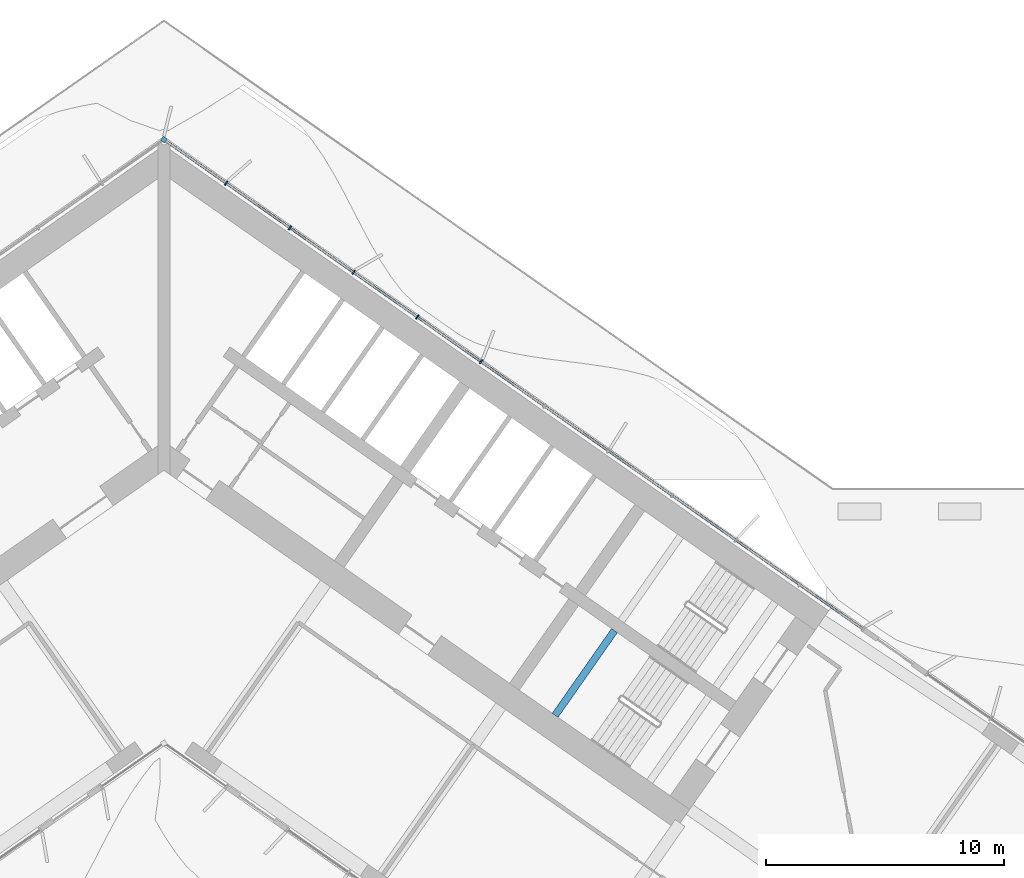
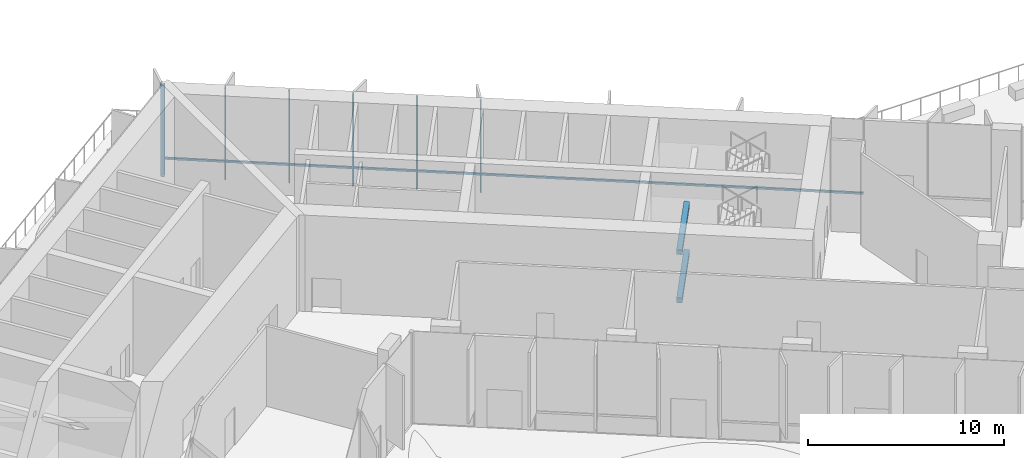
# One storey, part 11 of 27: 7 members, 2 beams, 1 element without a shape of its own.
"""IFC4 building model written with IfcOpenShell, lengths in metres."""

from ifc_helpers import new_model, si_unit, direction, frame, origin, origin_2d, place, context, subcontext, project, spatial, rectangle, extrude, material, material_profile, profile_set, type_object, element, aggregate, save


model = new_model("IFC4")

# Units and contexts
model_context = context("Model", 3, precision=1e-05, world=origin(), true_north=direction((0.0, 1.0)))
body_context = subcontext(model_context, "Body", "Model", "MODEL_VIEW")
ifc_project = project(units=[si_unit("LENGTHUNIT", "METRE"), si_unit("AREAUNIT", "SQUARE_METRE"), si_unit("VOLUMEUNIT", "CUBIC_METRE"), si_unit("PLANEANGLEUNIT", "RADIAN"), si_unit("MASSUNIT", "GRAM", prefix="KILO")], contexts=[model_context])

# Site, building, storey
site_placement = place(None, origin())
site = spatial("IfcSite", under=ifc_project, at=site_placement, CompositionType="ELEMENT")
building_placement = place(site_placement, origin())
building = spatial("IfcBuilding", under=site, at=building_placement, Name="Tel Ilan Convention Tower", CompositionType="ELEMENT")
storey_placement = place(building_placement, frame((0.0, 0.0, 48.5)))
storey = spatial("IfcBuildingStorey", under=building, at=storey_placement, Name="L07", CompositionType="ELEMENT", Elevation=48.5)

# Curtain wall, members
ifc_material_1 = material(Name="Aluminium, bronze anodised", Category="aluminium")
curtain_wall_type = type_object("IfcCurtainWallType", Name="CW2 STICK CURTAIN WALL, SPANDREL PANELS", PredefinedType="NOTDEFINED", material=ifc_material_1)
curtain_wall_placement = place(storey_placement, origin())
curtain_wall = element("IfcCurtainWall", 1, at=curtain_wall_placement, inside=storey, type_object=curtain_wall_type, Name="Curtain wall CW2-10.24", PredefinedType="NOTDEFINED")
ifc_material_2 = material(Name="Aluminium, bronze anodised", Category="aluminium")
ifc_material_profile_1 = material_profile(ifc_material_2, rectangle(XDim=0.199951171875, YDim=0.199951171875, at=origin_2d()), Name="CW CORNER MULLION 200x200")
ifc_profile_set_1 = profile_set([ifc_material_profile_1], Name="Aluminium, bronze anodised")
member_type_1 = type_object("IfcMemberType", Name="CW CORNER MULLION 200x200", PredefinedType="MULLION", material=ifc_profile_set_1)
member_1_placement = place(storey_placement, frame((0.0, 12.696044921875, 0.0), z_axis=(0.0, 0.0, 1.0), x_axis=(-0.819152044289, 0.573576436351, 0.0)))
member_1 = element("IfcMember", 2, at=member_1_placement, type_object=member_type_1, Name="Corner mullion", PredefinedType="MULLION", context=body_context, shape_type="SweptSolid", body=[
    extrude(rectangle(XDim=0.199951171875, YDim=0.199951171875, at=origin_2d()), origin(), (0.0, 0.0, 1.0), 5.719970703125),
])
ifc_material_3 = material(Name="Aluminium, bronze anodised", Category="aluminium")
ifc_material_profile_2 = material_profile(ifc_material_3, rectangle(XDim=0.06005859375, YDim=0.199951171875, at=origin_2d()), Name="CW MULLION 60x200")
ifc_profile_set_2 = profile_set([ifc_material_profile_2], Name="Aluminium, bronze anodised")
member_type_2 = type_object("IfcMemberType", Name="CW MULLION 60x200", PredefinedType="MULLION", material=ifc_profile_set_2)
member_2_placement = place(storey_placement, frame((13.343994140625, 3.3525390625, 0.0), z_axis=(0.0, 0.0, 1.0), x_axis=(-0.819152044289, 0.573576436351, 0.0)))
member_2 = element("IfcMember", 3, at=member_2_placement, type_object=member_type_2, Name="Mullion", PredefinedType="MULLION", context=body_context, shape_type="SweptSolid", body=[
    extrude(rectangle(XDim=0.06005859375, YDim=0.199951171875, at=origin_2d()), origin(), (0.0, 0.0, 1.0), 5.719970703125),
])
member_3_placement = place(storey_placement, frame((10.663818359375, 5.229248046875, 0.0), z_axis=(0.0, 0.0, 1.0), x_axis=(-0.819152044289, 0.573576436351, 0.0)))
member_3 = element("IfcMember", 4, at=member_3_placement, type_object=member_type_2, Name="Mullion", PredefinedType="MULLION", context=body_context, shape_type="SweptSolid", body=[
    extrude(rectangle(XDim=0.06005859375, YDim=0.199951171875, at=origin_2d()), origin(), (0.0, 0.0, 1.0), 5.719970703125),
])
member_4_placement = place(storey_placement, frame((7.9833984375, 7.10595703125, 0.0), z_axis=(0.0, 0.0, 1.0), x_axis=(-0.819152044289, 0.573576436351, 0.0)))
member_4 = element("IfcMember", 5, at=member_4_placement, type_object=member_type_2, Name="Mullion", PredefinedType="MULLION", context=body_context, shape_type="SweptSolid", body=[
    extrude(rectangle(XDim=0.06005859375, YDim=0.199951171875, at=origin_2d()), origin(), (0.0, 0.0, 1.0), 5.719970703125),
])
member_5_placement = place(storey_placement, frame((5.30322265625, 8.982666015625, 0.0), z_axis=(0.0, 0.0, 1.0), x_axis=(-0.819152044289, 0.573576436351, 0.0)))
member_5 = element("IfcMember", 6, at=member_5_placement, type_object=member_type_2, Name="Mullion", PredefinedType="MULLION", context=body_context, shape_type="SweptSolid", body=[
    extrude(rectangle(XDim=0.06005859375, YDim=0.199951171875, at=origin_2d()), origin(), (0.0, 0.0, 1.0), 5.719970703125),
])
member_6_placement = place(storey_placement, frame((2.622802734375, 10.859375, 0.0), z_axis=(0.0, 0.0, 1.0), x_axis=(-0.819152044289, 0.573576436351, 0.0)))
member_6 = element("IfcMember", 7, at=member_6_placement, type_object=member_type_2, Name="Mullion", PredefinedType="MULLION", context=body_context, shape_type="SweptSolid", body=[
    extrude(rectangle(XDim=0.06005859375, YDim=0.199951171875, at=origin_2d()), origin(), (0.0, 0.0, 1.0), 5.719970703125),
])
ifc_material_4 = material(Name="Aluminium, bronze anodised", Category="aluminium")
ifc_material_profile_3 = material_profile(ifc_material_4, rectangle(XDim=0.10009765625, YDim=0.1201171875, at=origin_2d()), Name="CW TRANSOM 100x120")
ifc_profile_set_3 = profile_set([ifc_material_profile_3], Name="Aluminium, bronze anodised")
member_type_3 = type_object("IfcMemberType", Name="CW TRANSOM 100x120", PredefinedType="USERDEFINED", material=ifc_profile_set_3)
member_7_placement = place(storey_placement, frame((29.401123046875, -7.890869140625, 1.10009765625), z_axis=(-0.81915076999, 0.573578256234, 0.0), x_axis=(-0.573578256234, -0.81915076999, 0.0)))
member_7 = element("IfcMember", 8, at=member_7_placement, type_object=member_type_3, Name="Transom", ObjectType="TRANSOM", PredefinedType="USERDEFINED", context=body_context, shape_type="SweptSolid", body=[
    extrude(rectangle(XDim=0.10009765625, YDim=0.1201171875, at=origin_2d()), origin(), (0.0, 0.0, 1.0), 35.76220703125),
])
aggregate(curtain_wall, [member_2, member_3, member_4, member_5, member_6, member_1, member_7])

# Beams
ifc_material_5 = material(Name="Concrete C40/50", Category="concrete")
ifc_material_profile_4 = material_profile(ifc_material_5, rectangle(XDim=0.300048828125, YDim=0.300048828125, at=origin_2d()), Name="RC 300x300")
ifc_profile_set_4 = profile_set([ifc_material_profile_4], Name="Concrete C40/50")
beam_type = type_object("IfcBeamType", Name="Landing Beam RC 300x300 Concrete C40/50", PredefinedType="BEAM", material=ifc_profile_set_4)
for number, where, z_axis, x_axis, name in (
    (9, (18.956298828125, -7.962890625, 1.14990234375), (-0.573594173421, -0.819139624372, 0.0), (0.819139624372, -0.573594173421, 0.0), "S4 landing beam L07.1"),
    (10, (18.956298828125, -7.962890625, 4.14990234375), (-0.573594173421, -0.819139624372, 0.0), (0.819139624372, -0.573594173421, 0.0), "S4 landing beam L07.3"),
):
    element("IfcBeam", number, at=place(storey_placement, frame(where, z_axis=z_axis, x_axis=x_axis)), inside=storey, type_object=beam_type, Name=name, PredefinedType="BEAM", context=body_context, shape_type="SweptSolid", body=[
        extrude(rectangle(XDim=0.300048828125, YDim=0.300048828125, at=origin_2d()), origin(), (0.0, 0.0, 1.0), 4.349853515625),
    ])

save(model, "model.ifc")
